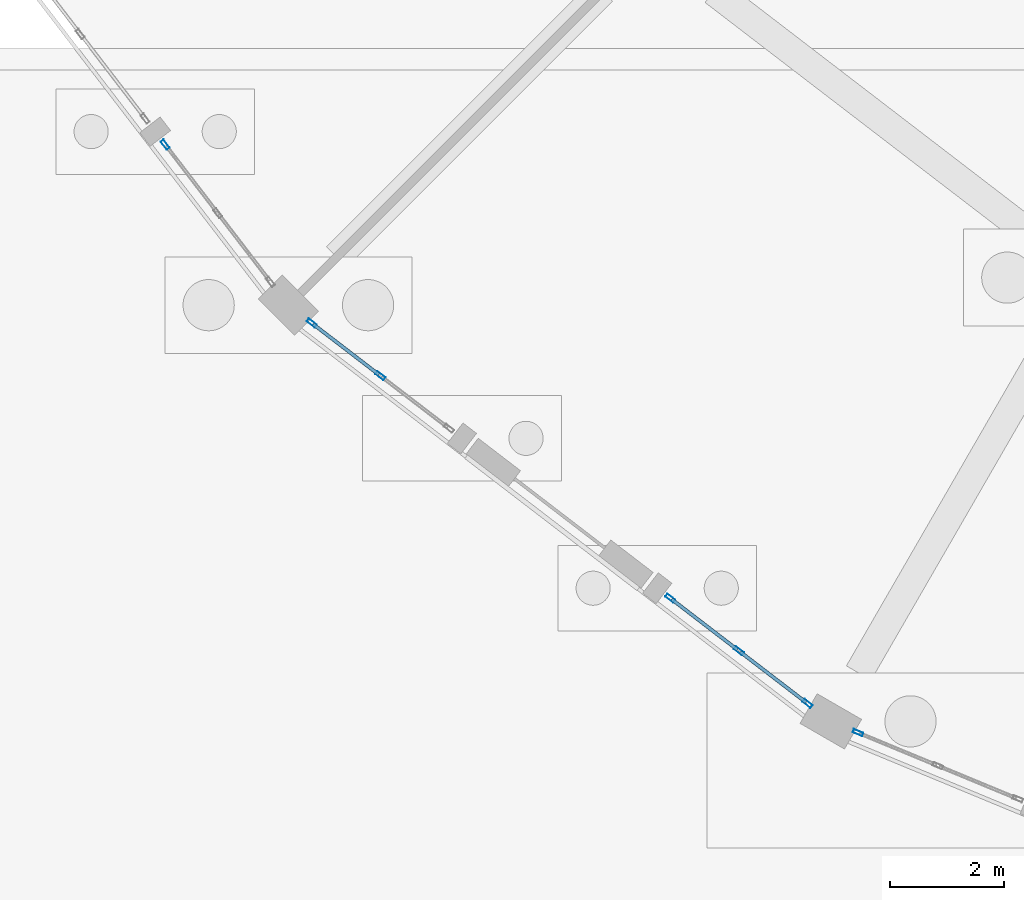
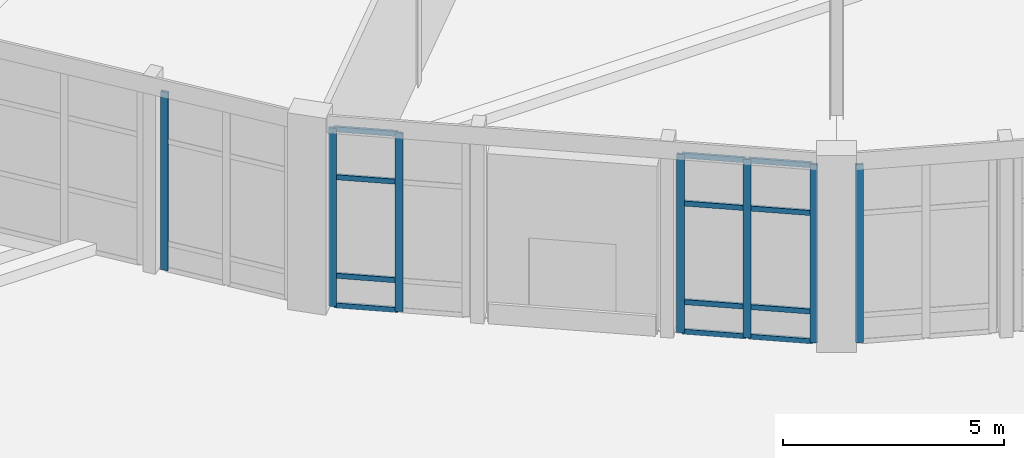
# One storey, part 34 of 137: 19 members, 4 elements without a shape of their own.
"""IFC4 building model written with IfcOpenShell, lengths in metres."""

from ifc_helpers import new_model, si_unit, direction, frame, origin, origin_2d, place, context, subcontext, project, spatial, hollow_rectangle, extrude, material, material_profile, profile_set, type_object, element, aggregate, save


model = new_model("IFC4")

# Units and contexts
model_context = context("Model", 3, precision=1e-05, world=origin(), true_north=direction((0.0, 1.0)))
body_context = subcontext(model_context, "Body", "Model", "MODEL_VIEW")
ifc_project = project(units=[si_unit("LENGTHUNIT", "METRE"), si_unit("AREAUNIT", "SQUARE_METRE"), si_unit("VOLUMEUNIT", "CUBIC_METRE"), si_unit("PLANEANGLEUNIT", "RADIAN"), si_unit("MASSUNIT", "GRAM", prefix="KILO")], contexts=[model_context])

# Site, building, storey
site_placement = place(None, origin())
site = spatial("IfcSite", under=ifc_project, at=site_placement, CompositionType="ELEMENT")
building_placement = place(site_placement, origin())
building = spatial("IfcBuilding", under=site, at=building_placement, Name="Vondelvale Polytechnic", CompositionType="ELEMENT")
storey_placement = place(building_placement, origin())
storey = spatial("IfcBuildingStorey", under=building, at=storey_placement, Name="L00", CompositionType="ELEMENT", Elevation=0.0)

# Curtain wall, member
ifc_material_1 = material(Name="Glulam GL18 structural Tasmanian oak (fb = 42 MPa)", Category="wood")
curtain_wall_type = type_object("IfcCurtainWallType", Name="CW-RING-OUTER", PredefinedType="NOTDEFINED", material=ifc_material_1)
curtain_wall_1_placement = place(storey_placement, origin())
curtain_wall_1 = element("IfcCurtainWall", 1, at=curtain_wall_1_placement, inside=storey, type_object=curtain_wall_type, Name="L00 architectural curtain wall CW-04-297", PredefinedType="NOTDEFINED")
ifc_material_2 = material(Name="Anodised extruded aluminium 6063-T6", Category="aluminium")
ifc_material_profile_1 = material_profile(ifc_material_2, hollow_rectangle(XDim=0.06494140625, YDim=0.179931640625, WallThickness=0.00390625, at=origin_2d()), Name="CW-MUL-180x65")
ifc_profile_set_1 = profile_set([ifc_material_profile_1], Name="Anodised extruded aluminium 6063-T6")
member_type_1 = type_object("IfcMemberType", Name="CW-MUL-65x180", PredefinedType="MULLION", material=ifc_profile_set_1)
member_1_placement = place(storey_placement, frame((67.308837890625, 42.293701171875, 0.0), z_axis=(0.0, 0.0, 1.0), x_axis=(0.793351666305, 0.608763610584, 0.0)))
member_1 = element("IfcMember", 2, at=member_1_placement, type_object=member_type_1, Name="CW-04-297 mullion 1", PredefinedType="MULLION", context=body_context, shape_type="SweptSolid", body=[
    extrude(hollow_rectangle(XDim=0.06494140625, YDim=0.179931640625, WallThickness=0.00390625, at=origin_2d()), origin(), (0.0, 0.0, 1.0), 4.919921875),
])
aggregate(curtain_wall_1, [member_1])

# Curtain wall, members
curtain_wall_2_placement = place(storey_placement, origin())
curtain_wall_2 = element("IfcCurtainWall", 3, at=curtain_wall_2_placement, inside=storey, type_object=curtain_wall_type, Name="L00 architectural curtain wall CW-04-315", PredefinedType="NOTDEFINED")
member_2_placement = place(storey_placement, frame((69.8828125, 39.15869140625, 0.0), z_axis=(0.0, 0.0, 1.0), x_axis=(0.608763610584, 0.793351666305, 0.0)))
member_2 = element("IfcMember", 4, at=member_2_placement, type_object=member_type_1, Name="CW-04-315 mullion 1", PredefinedType="MULLION", context=body_context, shape_type="SweptSolid", body=[
    extrude(hollow_rectangle(XDim=0.06494140625, YDim=0.179931640625, WallThickness=0.00390625, at=origin_2d()), origin(), (0.0, 0.0, 1.0), 4.919921875),
])
member_3_placement = place(storey_placement, frame((71.088134765625, 38.233642578125, 0.0), z_axis=(0.0, 0.0, 1.0), x_axis=(0.608763610584, 0.793351666305, 0.0)))
member_3 = element("IfcMember", 5, at=member_3_placement, type_object=member_type_1, Name="CW-04-315 mullion 2", PredefinedType="MULLION", context=body_context, shape_type="SweptSolid", body=[
    extrude(hollow_rectangle(XDim=0.06494140625, YDim=0.179931640625, WallThickness=0.00390625, at=origin_2d()), origin(), (0.0, 0.0, 1.0), 4.919921875),
])

curtain_wall_3_placement = place(storey_placement, origin())
curtain_wall_3 = element("IfcCurtainWall", 6, at=curtain_wall_3_placement, inside=storey, type_object=curtain_wall_type, Name="L00 architectural curtain wall CW-04-316", PredefinedType="NOTDEFINED")
member_4_placement = place(storey_placement, frame((76.179443359375, 34.3271484375, 0.0), z_axis=(0.0, 0.0, 1.0), x_axis=(0.608763610584, 0.793351666305, 0.0)))
member_4 = element("IfcMember", 7, at=member_4_placement, type_object=member_type_1, Name="CW-04-316 mullion 1", PredefinedType="MULLION", context=body_context, shape_type="SweptSolid", body=[
    extrude(hollow_rectangle(XDim=0.06494140625, YDim=0.179931640625, WallThickness=0.00390625, at=origin_2d()), origin(), (0.0, 0.0, 1.0), 4.919921875),
])
member_5_placement = place(storey_placement, frame((77.384765625, 33.402099609375, 0.0), z_axis=(0.0, 0.0, 1.0), x_axis=(0.608763610584, 0.793351666305, 0.0)))
member_5 = element("IfcMember", 8, at=member_5_placement, type_object=member_type_1, Name="CW-04-316 mullion 2", PredefinedType="MULLION", context=body_context, shape_type="SweptSolid", body=[
    extrude(hollow_rectangle(XDim=0.06494140625, YDim=0.179931640625, WallThickness=0.00390625, at=origin_2d()), origin(), (0.0, 0.0, 1.0), 4.919921875),
])
member_6_placement = place(storey_placement, frame((78.59033203125, 32.477294921875, 0.0), z_axis=(0.0, 0.0, 1.0), x_axis=(0.608763610584, 0.793351666305, 0.0)))
member_6 = element("IfcMember", 9, at=member_6_placement, type_object=member_type_1, Name="CW-04-316 mullion 3", PredefinedType="MULLION", context=body_context, shape_type="SweptSolid", body=[
    extrude(hollow_rectangle(XDim=0.06494140625, YDim=0.179931640625, WallThickness=0.00390625, at=origin_2d()), origin(), (0.0, 0.0, 1.0), 4.919921875),
])

# Curtain wall, member
curtain_wall_4_placement = place(storey_placement, origin())
curtain_wall_4 = element("IfcCurtainWall", 10, at=curtain_wall_4_placement, inside=storey, type_object=curtain_wall_type, Name="L00 architectural curtain wall CW-04-326", PredefinedType="NOTDEFINED")
member_7_placement = place(storey_placement, frame((79.477294921875, 31.965087890625, 0.0), z_axis=(0.0, 0.0, 1.0), x_axis=(0.382679040691, 0.92388135159, 0.0)))
member_7 = element("IfcMember", 11, at=member_7_placement, type_object=member_type_1, Name="CW-04-326 mullion 1", PredefinedType="MULLION", context=body_context, shape_type="SweptSolid", body=[
    extrude(hollow_rectangle(XDim=0.06494140625, YDim=0.179931640625, WallThickness=0.00390625, at=origin_2d()), origin(), (0.0, 0.0, 1.0), 4.919921875),
])
aggregate(curtain_wall_4, [member_7])

# Member
ifc_material_profile_2 = material_profile(ifc_material_2, hollow_rectangle(XDim=0.06005859375, YDim=0.139892578125, WallThickness=0.00341796875, at=origin_2d()), Name="CW-TRN-140x60")
ifc_profile_set_2 = profile_set([ifc_material_profile_2], Name="Anodised extruded aluminium 6063-T6")
member_type_2 = type_object("IfcMemberType", Name="CW-TRN-60x140", PredefinedType="USERDEFINED", material=ifc_profile_set_2)
member_8_placement = place(storey_placement, frame((69.90869140625, 39.138916015625, 0.030029296875), z_axis=(0.793303669799, -0.608826155387, 0.0), x_axis=(0.608826155387, 0.793303669799, 0.0)))
member_8 = element("IfcMember", 12, at=member_8_placement, type_object=member_type_2, Name="CW-04-315 transom 1.1", ObjectType="TRANSOM", PredefinedType="USERDEFINED", context=body_context, shape_type="SweptSolid", body=[
    extrude(hollow_rectangle(XDim=0.06005859375, YDim=0.139892578125, WallThickness=0.00341796875, at=origin_2d()), origin(), (0.0, 0.0, 1.0), 1.454345703125),
])

member_9_placement = place(storey_placement, frame((69.90869140625, 39.138916015625, 0.85009765625), z_axis=(0.793303669799, -0.608826155387, 0.0), x_axis=(0.608826155387, 0.793303669799, 0.0)))
member_9 = element("IfcMember", 13, at=member_9_placement, type_object=member_type_2, Name="CW-04-315 transom 1.2", ObjectType="TRANSOM", PredefinedType="USERDEFINED", context=body_context, shape_type="SweptSolid", body=[
    extrude(hollow_rectangle(XDim=0.06005859375, YDim=0.139892578125, WallThickness=0.00341796875, at=origin_2d()), origin(), (0.0, 0.0, 1.0), 1.454345703125),
])

member_10_placement = place(storey_placement, frame((69.90869140625, 39.138916015625, 3.570068359375), z_axis=(0.793303669799, -0.608826155387, 0.0), x_axis=(0.608826155387, 0.793303669799, 0.0)))
member_10 = element("IfcMember", 14, at=member_10_placement, type_object=member_type_2, Name="CW-04-315 transom 1.3", ObjectType="TRANSOM", PredefinedType="USERDEFINED", context=body_context, shape_type="SweptSolid", body=[
    extrude(hollow_rectangle(XDim=0.06005859375, YDim=0.139892578125, WallThickness=0.00341796875, at=origin_2d()), origin(), (0.0, 0.0, 1.0), 1.454345703125),
])

member_11_placement = place(storey_placement, frame((69.90869140625, 39.138916015625, 4.889892578125), z_axis=(0.793303669799, -0.608826155387, 0.0), x_axis=(0.608826155387, 0.793303669799, 0.0)))
member_11 = element("IfcMember", 15, at=member_11_placement, type_object=member_type_2, Name="CW-04-315 transom 1.4", ObjectType="TRANSOM", PredefinedType="USERDEFINED", context=body_context, shape_type="SweptSolid", body=[
    extrude(hollow_rectangle(XDim=0.06005859375, YDim=0.139892578125, WallThickness=0.00341796875, at=origin_2d()), origin(), (0.0, 0.0, 1.0), 1.454345703125),
])

aggregate(curtain_wall_2, [member_2, member_3, member_8, member_9, member_10, member_11])

member_12_placement = place(storey_placement, frame((76.205322265625, 34.307373046875, 0.030029296875), z_axis=(0.793303669799, -0.608826155387, 0.0), x_axis=(0.608826155387, 0.793303669799, 0.0)))
member_12 = element("IfcMember", 16, at=member_12_placement, type_object=member_type_2, Name="CW-04-316 transom 1.1", ObjectType="TRANSOM", PredefinedType="USERDEFINED", context=body_context, shape_type="SweptSolid", body=[
    extrude(hollow_rectangle(XDim=0.06005859375, YDim=0.139892578125, WallThickness=0.00341796875, at=origin_2d()), origin(), (0.0, 0.0, 1.0), 1.454345703125),
])

member_13_placement = place(storey_placement, frame((76.205322265625, 34.307373046875, 0.85009765625), z_axis=(0.793303669799, -0.608826155387, 0.0), x_axis=(0.608826155387, 0.793303669799, 0.0)))
member_13 = element("IfcMember", 17, at=member_13_placement, type_object=member_type_2, Name="CW-04-316 transom 1.2", ObjectType="TRANSOM", PredefinedType="USERDEFINED", context=body_context, shape_type="SweptSolid", body=[
    extrude(hollow_rectangle(XDim=0.06005859375, YDim=0.139892578125, WallThickness=0.00341796875, at=origin_2d()), origin(), (0.0, 0.0, 1.0), 1.454345703125),
])

member_14_placement = place(storey_placement, frame((76.205322265625, 34.307373046875, 3.570068359375), z_axis=(0.793303669799, -0.608826155387, 0.0), x_axis=(0.608826155387, 0.793303669799, 0.0)))
member_14 = element("IfcMember", 18, at=member_14_placement, type_object=member_type_2, Name="CW-04-316 transom 1.3", ObjectType="TRANSOM", PredefinedType="USERDEFINED", context=body_context, shape_type="SweptSolid", body=[
    extrude(hollow_rectangle(XDim=0.06005859375, YDim=0.139892578125, WallThickness=0.00341796875, at=origin_2d()), origin(), (0.0, 0.0, 1.0), 1.454345703125),
])

member_15_placement = place(storey_placement, frame((76.205322265625, 34.307373046875, 4.889892578125), z_axis=(0.793303669799, -0.608826155387, 0.0), x_axis=(0.608826155387, 0.793303669799, 0.0)))
member_15 = element("IfcMember", 19, at=member_15_placement, type_object=member_type_2, Name="CW-04-316 transom 1.4", ObjectType="TRANSOM", PredefinedType="USERDEFINED", context=body_context, shape_type="SweptSolid", body=[
    extrude(hollow_rectangle(XDim=0.06005859375, YDim=0.139892578125, WallThickness=0.00341796875, at=origin_2d()), origin(), (0.0, 0.0, 1.0), 1.454345703125),
])

member_16_placement = place(storey_placement, frame((77.41064453125, 33.38232421875, 0.030029296875), z_axis=(0.793384744473, -0.608720500097, 0.0), x_axis=(0.608720500097, 0.793384744473, 0.0)))
member_16 = element("IfcMember", 20, at=member_16_placement, type_object=member_type_2, Name="CW-04-316 transom 2.1", ObjectType="TRANSOM", PredefinedType="USERDEFINED", context=body_context, shape_type="SweptSolid", body=[
    extrude(hollow_rectangle(XDim=0.06005859375, YDim=0.139892578125, WallThickness=0.00341796875, at=origin_2d()), origin(), (0.0, 0.0, 1.0), 1.454345703125),
])

member_17_placement = place(storey_placement, frame((77.41064453125, 33.38232421875, 0.85009765625), z_axis=(0.793384744473, -0.608720500097, 0.0), x_axis=(0.608720500097, 0.793384744473, 0.0)))
member_17 = element("IfcMember", 21, at=member_17_placement, type_object=member_type_2, Name="CW-04-316 transom 2.2", ObjectType="TRANSOM", PredefinedType="USERDEFINED", context=body_context, shape_type="SweptSolid", body=[
    extrude(hollow_rectangle(XDim=0.06005859375, YDim=0.139892578125, WallThickness=0.00341796875, at=origin_2d()), origin(), (0.0, 0.0, 1.0), 1.454345703125),
])

member_18_placement = place(storey_placement, frame((77.41064453125, 33.38232421875, 3.570068359375), z_axis=(0.793384744473, -0.608720500097, 0.0), x_axis=(0.608720500097, 0.793384744473, 0.0)))
member_18 = element("IfcMember", 22, at=member_18_placement, type_object=member_type_2, Name="CW-04-316 transom 2.3", ObjectType="TRANSOM", PredefinedType="USERDEFINED", context=body_context, shape_type="SweptSolid", body=[
    extrude(hollow_rectangle(XDim=0.06005859375, YDim=0.139892578125, WallThickness=0.00341796875, at=origin_2d()), origin(), (0.0, 0.0, 1.0), 1.454345703125),
])

member_19_placement = place(storey_placement, frame((77.41064453125, 33.38232421875, 4.889892578125), z_axis=(0.793384744473, -0.608720500097, 0.0), x_axis=(0.608720500097, 0.793384744473, 0.0)))
member_19 = element("IfcMember", 23, at=member_19_placement, type_object=member_type_2, Name="CW-04-316 transom 2.4", ObjectType="TRANSOM", PredefinedType="USERDEFINED", context=body_context, shape_type="SweptSolid", body=[
    extrude(hollow_rectangle(XDim=0.06005859375, YDim=0.139892578125, WallThickness=0.00341796875, at=origin_2d()), origin(), (0.0, 0.0, 1.0), 1.454345703125),
])

aggregate(curtain_wall_3, [member_4, member_5, member_6, member_12, member_13, member_14, member_15, member_16, member_17, member_18, member_19])

save(model, "model.ifc")
